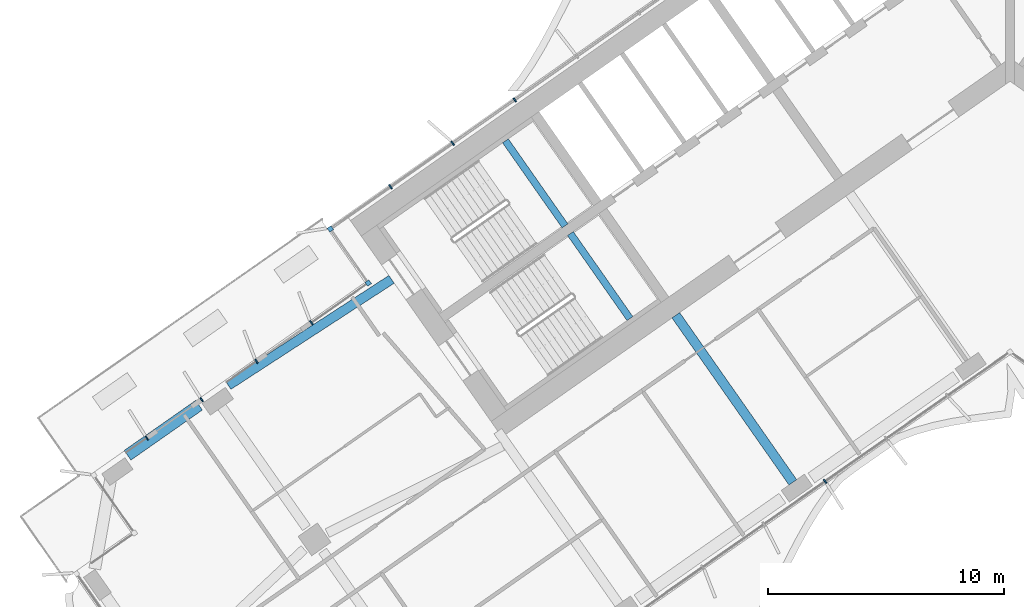
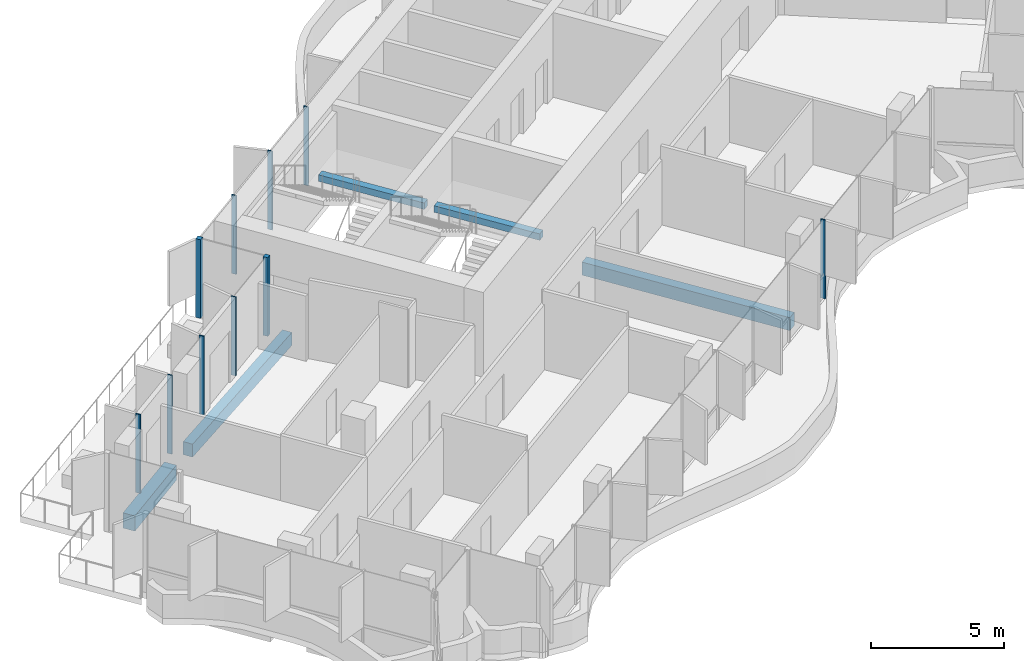
# One storey, part 4 of 24: 10 members, 5 beams, 6 elements without a shape of their own.
"""IFC4 building model written with IfcOpenShell, lengths in metres."""

from ifc_helpers import new_model, si_unit, direction, frame, origin, origin_2d, place, context, subcontext, project, spatial, rectangle, extrude, material, material_profile, profile_set, type_object, element, aggregate, save


model = new_model("IFC4")

# Units and contexts
model_context = context("Model", 3, precision=1e-05, world=origin(), true_north=direction((0.0, 1.0)))
body_context = subcontext(model_context, "Body", "Model", "MODEL_VIEW")
ifc_project = project(units=[si_unit("LENGTHUNIT", "METRE"), si_unit("AREAUNIT", "SQUARE_METRE"), si_unit("VOLUMEUNIT", "CUBIC_METRE"), si_unit("PLANEANGLEUNIT", "RADIAN"), si_unit("MASSUNIT", "GRAM", prefix="KILO")], contexts=[model_context])

# Site, building, storey
site_placement = place(None, origin())
site = spatial("IfcSite", under=ifc_project, at=site_placement, CompositionType="ELEMENT")
building_placement = place(site_placement, origin())
building = spatial("IfcBuilding", under=site, at=building_placement, Name="Tel Ilan Convention Tower", CompositionType="ELEMENT")
storey_placement = place(building_placement, frame((0.0, 0.0, 132.0)))
storey = spatial("IfcBuildingStorey", under=building, at=storey_placement, Name="L29", CompositionType="ELEMENT", Elevation=132.0)

# Beams
ifc_material_1 = material(Name="Concrete C40/50", Category="concrete")
ifc_material_profile_1 = material_profile(ifc_material_1, rectangle(XDim=0.39990234375, YDim=0.60009765625, at=origin_2d()), Name="RC 400x600")
ifc_profile_set_1 = profile_set([ifc_material_profile_1], Name="Concrete C40/50")
beam_type_1 = type_object("IfcBeamType", Name="Beam RC 400x600 Concrete C40/50", PredefinedType="BEAM", material=ifc_profile_set_1)
beam_1_placement = place(storey_placement, frame((-33.145263671875, -14.1201171875, -0.580078125), z_axis=(0.838428074672, 0.545012260047, 0.0), x_axis=(-0.545012260047, 0.838428074672, 0.0)))
element("IfcBeam", 1, at=beam_1_placement, inside=storey, type_object=beam_type_1, Name="L29 beam W-W-B4-core", PredefinedType="BEAM", context=body_context, shape_type="SweptSolid", body=[
    extrude(rectangle(XDim=0.39990234375, YDim=0.60009765625, at=origin_2d()), origin(), (0.0, 0.0, 1.0), 8.2548828125),
])
beam_2_placement = place(storey_placement, frame((-9.209716796875, -18.229248046875, -0.580078125), z_axis=(-0.573574099654, 0.819153680457, 0.0), x_axis=(-0.819153680457, -0.573574099654, 0.0)))
element("IfcBeam", 2, at=beam_2_placement, inside=storey, type_object=beam_type_1, Name="L29 beam W-W-F2-core", PredefinedType="BEAM", context=body_context, shape_type="SweptSolid", body=[
    extrude(rectangle(XDim=0.39990234375, YDim=0.60009765625, at=origin_2d()), origin(), (0.0, 0.0, 1.0), 8.64990234375),
])
ifc_material_2 = material(Name="Concrete C40/50", Category="concrete")
ifc_material_profile_2 = material_profile(ifc_material_2, rectangle(XDim=0.5, YDim=0.699951171875, at=origin_2d()), Name="RC 500x700")
ifc_profile_set_2 = profile_set([ifc_material_profile_2], Name="Concrete C40/50")
beam_type_2 = type_object("IfcBeamType", Name="Beam RC 500x700 Concrete C40/50", PredefinedType="BEAM", material=ifc_profile_set_2)
beam_3_placement = place(storey_placement, frame((-37.419677734375, -17.08154296875, -0.6298828125), z_axis=(0.819132709951, 0.573604047656, 0.0), x_axis=(-0.573604047656, 0.819132709951, 0.0)))
element("IfcBeam", 3, at=beam_3_placement, inside=storey, type_object=beam_type_2, Name="L29 beam W-W-BC-W-B4", PredefinedType="BEAM", context=body_context, shape_type="SweptSolid", body=[
    extrude(rectangle(XDim=0.5, YDim=0.699951171875, at=origin_2d()), origin(), (0.0, 0.0, 1.0), 3.699951171875),
])

# Curtain wall, members
ifc_material_3 = material(Name="Aluminium, bronze anodised", Category="aluminium")
curtain_wall_type_1 = type_object("IfcCurtainWallType", Name="CW2 STICK CURTAIN WALL, SPANDREL PANELS", PredefinedType="NOTDEFINED", material=ifc_material_3)
curtain_wall_1_placement = place(storey_placement, origin())
curtain_wall_1 = element("IfcCurtainWall", 4, at=curtain_wall_1_placement, inside=storey, type_object=curtain_wall_type_1, Name="Curtain wall CW2-23.05", PredefinedType="NOTDEFINED")
ifc_material_4 = material(Name="Aluminium, bronze anodised", Category="aluminium")
ifc_material_profile_3 = material_profile(ifc_material_4, rectangle(XDim=0.199951171875, YDim=0.199951171875, at=origin_2d()), Name="CW CORNER MULLION 200x200")
ifc_profile_set_3 = profile_set([ifc_material_profile_3], Name="Aluminium, bronze anodised")
member_type_1 = type_object("IfcMemberType", Name="CW CORNER MULLION 200x200", PredefinedType="MULLION", material=ifc_profile_set_3)
member_1_placement = place(storey_placement, frame((-28.819580078125, -7.483642578125, 0.0), z_axis=(0.0, 0.0, 1.0), x_axis=(-0.819152044289, -0.573576436351, 0.0)))
member_1 = element("IfcMember", 5, at=member_1_placement, type_object=member_type_1, Name="Corner mullion", PredefinedType="MULLION", context=body_context, shape_type="SweptSolid", body=[
    extrude(rectangle(XDim=0.199951171875, YDim=0.199951171875, at=origin_2d()), origin(), (0.0, 0.0, 1.0), 3.6201171875),
])
member_2_placement = place(storey_placement, frame((-27.213623046875, -9.77734375, 0.0), z_axis=(0.0, 0.0, 1.0), x_axis=(0.573576436351, -0.819152044289, 0.0)))
member_2 = element("IfcMember", 6, at=member_2_placement, type_object=member_type_1, Name="Corner mullion", PredefinedType="MULLION", context=body_context, shape_type="SweptSolid", body=[
    extrude(rectangle(XDim=0.199951171875, YDim=0.199951171875, at=origin_2d()), origin(), (0.0, 0.0, 1.0), 3.6201171875),
])
ifc_material_5 = material(Name="Aluminium, bronze anodised", Category="aluminium")
ifc_material_profile_4 = material_profile(ifc_material_5, rectangle(XDim=0.06005859375, YDim=0.199951171875, at=origin_2d()), Name="CW MULLION 60x200")
ifc_profile_set_4 = profile_set([ifc_material_profile_4], Name="Aluminium, bronze anodised")
member_type_2 = type_object("IfcMemberType", Name="CW MULLION 60x200", PredefinedType="MULLION", material=ifc_profile_set_4)
member_3_placement = place(storey_placement, frame((-21.003662109375, -2.0107421875, 0.0), z_axis=(0.0, 0.0, 1.0), x_axis=(-0.819152044289, -0.573576436351, 0.0)))
member_3 = element("IfcMember", 7, at=member_3_placement, type_object=member_type_2, Name="Mullion", PredefinedType="MULLION", context=body_context, shape_type="SweptSolid", body=[
    extrude(rectangle(XDim=0.06005859375, YDim=0.199951171875, at=origin_2d()), origin(), (0.0, 0.0, 1.0), 3.6201171875),
])
member_4_placement = place(storey_placement, frame((-23.63623046875, -3.854248046875, 0.0), z_axis=(0.0, 0.0, 1.0), x_axis=(-0.819152044289, -0.573576436351, 0.0)))
member_4 = element("IfcMember", 8, at=member_4_placement, type_object=member_type_2, Name="Mullion", PredefinedType="MULLION", context=body_context, shape_type="SweptSolid", body=[
    extrude(rectangle(XDim=0.06005859375, YDim=0.199951171875, at=origin_2d()), origin(), (0.0, 0.0, 1.0), 3.6201171875),
])
member_5_placement = place(storey_placement, frame((-26.268798828125, -5.697509765625, 0.0), z_axis=(0.0, 0.0, 1.0), x_axis=(-0.819152044289, -0.573576436351, 0.0)))
member_5 = element("IfcMember", 9, at=member_5_placement, type_object=member_type_2, Name="Mullion", PredefinedType="MULLION", context=body_context, shape_type="SweptSolid", body=[
    extrude(rectangle(XDim=0.06005859375, YDim=0.199951171875, at=origin_2d()), origin(), (0.0, 0.0, 1.0), 3.6201171875),
])
aggregate(curtain_wall_1, [member_3, member_4, member_5, member_1, member_2])

# Curtain wall, member
ifc_material_6 = material(Name="Aluminium, bronze anodised", Category="aluminium")
curtain_wall_type_2 = type_object("IfcCurtainWallType", Name="CW4 STICK CURTAIN WALL, OFFICE TINTED GLASS", PredefinedType="NOTDEFINED", material=ifc_material_6)
curtain_wall_2_placement = place(storey_placement, origin())
curtain_wall_2 = element("IfcCurtainWall", 10, at=curtain_wall_2_placement, inside=storey, type_object=curtain_wall_type_2, Name="Curtain wall CW4-23.06", PredefinedType="NOTDEFINED")
member_6_placement = place(storey_placement, frame((-29.621826171875, -11.463623046875, 0.0), z_axis=(0.0, 0.0, 1.0), x_axis=(-0.819152044289, -0.573576436351, 0.0)))
member_6 = element("IfcMember", 11, at=member_6_placement, type_object=member_type_2, Name="Mullion", PredefinedType="MULLION", context=body_context, shape_type="SweptSolid", body=[
    extrude(rectangle(XDim=0.06005859375, YDim=0.199951171875, at=origin_2d()), origin(), (0.0, 0.0, 1.0), 3.6201171875),
])
aggregate(curtain_wall_2, [member_6])

curtain_wall_3_placement = place(storey_placement, origin())
curtain_wall_3 = element("IfcCurtainWall", 12, at=curtain_wall_3_placement, inside=storey, type_object=curtain_wall_type_2, Name="Curtain wall CW4-23.07", PredefinedType="NOTDEFINED")
member_7_placement = place(storey_placement, frame((-31.9482421875, -13.092529296875, 0.0), z_axis=(0.0, 0.0, 1.0), x_axis=(-0.819152044289, -0.573576436351, 0.0)))
member_7 = element("IfcMember", 13, at=member_7_placement, type_object=member_type_2, Name="Mullion", PredefinedType="MULLION", context=body_context, shape_type="SweptSolid", body=[
    extrude(rectangle(XDim=0.06005859375, YDim=0.199951171875, at=origin_2d()), origin(), (0.0, 0.0, 1.0), 3.6201171875),
])
aggregate(curtain_wall_3, [member_7])

curtain_wall_4_placement = place(storey_placement, origin())
curtain_wall_4 = element("IfcCurtainWall", 14, at=curtain_wall_4_placement, inside=storey, type_object=curtain_wall_type_2, Name="Curtain wall CW4-23.08", PredefinedType="NOTDEFINED")
member_8_placement = place(storey_placement, frame((-34.274658203125, -14.721435546875, 0.0), z_axis=(0.0, 0.0, 1.0), x_axis=(-0.819152044289, -0.573576436351, 0.0)))
member_8 = element("IfcMember", 15, at=member_8_placement, type_object=member_type_2, Name="Mullion", PredefinedType="MULLION", context=body_context, shape_type="SweptSolid", body=[
    extrude(rectangle(XDim=0.06005859375, YDim=0.199951171875, at=origin_2d()), origin(), (0.0, 0.0, 1.0), 3.6201171875),
])
aggregate(curtain_wall_4, [member_8])

curtain_wall_5_placement = place(storey_placement, origin())
curtain_wall_5 = element("IfcCurtainWall", 16, at=curtain_wall_5_placement, inside=storey, type_object=curtain_wall_type_2, Name="Curtain wall CW4-23.09", PredefinedType="NOTDEFINED")
member_9_placement = place(storey_placement, frame((-36.60107421875, -16.350341796875, 0.0), z_axis=(0.0, 0.0, 1.0), x_axis=(-0.819152044289, -0.573576436351, 0.0)))
member_9 = element("IfcMember", 17, at=member_9_placement, type_object=member_type_2, Name="Mullion", PredefinedType="MULLION", context=body_context, shape_type="SweptSolid", body=[
    extrude(rectangle(XDim=0.06005859375, YDim=0.199951171875, at=origin_2d()), origin(), (0.0, 0.0, 1.0), 3.6201171875),
])
aggregate(curtain_wall_5, [member_9])

curtain_wall_6_placement = place(storey_placement, origin())
curtain_wall_6 = element("IfcCurtainWall", 18, at=curtain_wall_6_placement, inside=storey, type_object=curtain_wall_type_2, Name="Curtain wall CW4-23.10", PredefinedType="NOTDEFINED")
member_10_placement = place(storey_placement, frame((-7.842529296875, -18.1875, 0.0), z_axis=(0.0, 0.0, 1.0), x_axis=(0.819152044289, 0.573576436351, 0.0)))
member_10 = element("IfcMember", 19, at=member_10_placement, type_object=member_type_2, Name="Mullion", PredefinedType="MULLION", context=body_context, shape_type="SweptSolid", body=[
    extrude(rectangle(XDim=0.06005859375, YDim=0.199951171875, at=origin_2d()), origin(), (0.0, 0.0, 1.0), 3.6201171875),
])
aggregate(curtain_wall_6, [member_10])

# Beams
ifc_material_7 = material(Name="Concrete C40/50", Category="concrete")
ifc_material_profile_5 = material_profile(ifc_material_7, rectangle(XDim=0.300048828125, YDim=0.300048828125, at=origin_2d()), Name="RC 300x300")
ifc_profile_set_5 = profile_set([ifc_material_profile_5], Name="Concrete C40/50")
beam_type_3 = type_object("IfcBeamType", Name="Landing Beam RC 300x300 Concrete C40/50", PredefinedType="BEAM", material=ifc_profile_set_5)
beam_4_placement = place(storey_placement, frame((-18.870361328125, -7.353515625, 1.60009765625), z_axis=(-0.57354426506, 0.819174569928, 0.0), x_axis=(-0.819174569928, -0.57354426506, 0.0)))
element("IfcBeam", 20, at=beam_4_placement, inside=storey, type_object=beam_type_3, Name="S1 landing beam L29.1", PredefinedType="BEAM", context=body_context, shape_type="SweptSolid", body=[
    extrude(rectangle(XDim=0.300048828125, YDim=0.300048828125, at=origin_2d()), origin(), (0.0, 0.0, 1.0), 4.400146484375),
])
beam_5_placement = place(storey_placement, frame((-16.1171875, -11.285400390625, 1.60009765625), z_axis=(-0.573570334442, 0.819156316858, 0.0), x_axis=(-0.819156316858, -0.573570334442, 0.0)))
element("IfcBeam", 21, at=beam_5_placement, inside=storey, type_object=beam_type_3, Name="S2 landing beam L29.1", PredefinedType="BEAM", context=body_context, shape_type="SweptSolid", body=[
    extrude(rectangle(XDim=0.300048828125, YDim=0.300048828125, at=origin_2d()), origin(), (0.0, 0.0, 1.0), 4.39990234375),
])

save(model, "model.ifc")
